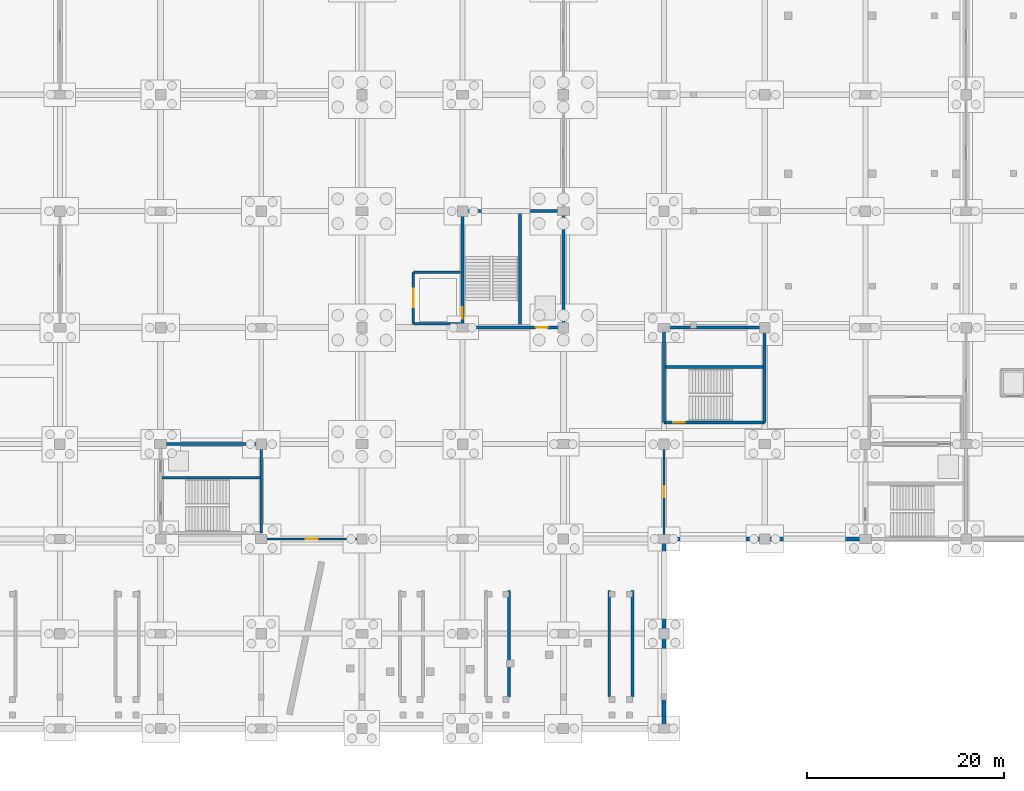
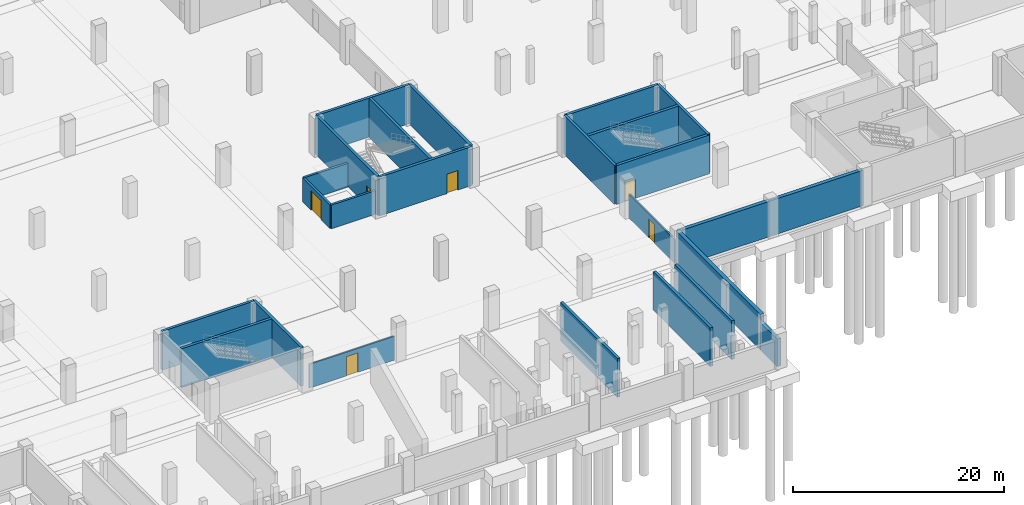
# One storey, part 35 of 52: 24 walls, 6 doors, 6 openings.
"""IFC4 building model written with IfcOpenShell, lengths in metres."""

from ifc_helpers import new_model, si_unit, direction, frame, frame_2d, origin, place, context, subcontext, project, spatial, rectangle, extrude, material, layer, layer_set, type_object, element, fill, save


model = new_model("IFC4")

# Units and contexts
model_context = context("Model", 3, precision=1e-05, world=origin(), true_north=direction((0.0, 1.0)))
body_context = subcontext(model_context, "Body", "Model", "MODEL_VIEW")
ifc_project = project(units=[si_unit("LENGTHUNIT", "METRE"), si_unit("AREAUNIT", "SQUARE_METRE"), si_unit("VOLUMEUNIT", "CUBIC_METRE"), si_unit("PLANEANGLEUNIT", "RADIAN"), si_unit("MASSUNIT", "GRAM", prefix="KILO")], contexts=[model_context])

# Site, building, storey
site_placement = place(None, origin())
site = spatial("IfcSite", under=ifc_project, at=site_placement, CompositionType="ELEMENT")
building_placement = place(site_placement, origin())
building = spatial("IfcBuilding", under=site, at=building_placement, Name="Brelvane Convention Centre", CompositionType="ELEMENT")
storey_placement = place(building_placement, frame((0.0, 0.0, -4.5)))
storey = spatial("IfcBuildingStorey", under=building, at=storey_placement, Name="B1", CompositionType="ELEMENT", Elevation=-4.5)

# Wall, opening, door
ifc_material_1 = material(Name="Fire-Rated Acoustic Gypsum Partition Board Grade A")
ifc_layer_1 = layer(ifc_material_1, 0.1650390625)
ifc_layer_set_1 = layer_set([ifc_layer_1], Name="Fire-Rated Acoustic Gypsum Partition Board Grade A")
wall_type_1 = type_object("IfcWallType", Name="Interior Wall IW-AC-165", PredefinedType="PARTITIONING", material=ifc_layer_set_1)
wall_1_placement = place(storey_placement, frame((133.0, 19.199951171875, 0.0), z_axis=(0.0, 0.0, 1.0), x_axis=(1.0, 0.0, 0.0)))
wall_1 = element("IfcWall", 1, at=wall_1_placement, inside=storey, type_object=wall_type_1, Name="Interior Partition B1-PLZVT", PredefinedType="PARTITIONING", context=body_context, shape_type="SweptSolid", body=[
    extrude(rectangle(XDim=9.39990234375, YDim=0.1650390625, at=frame_2d((4.699951171875, 0.0))), origin(), (0.0, 0.0, 1.0), 2.75),
])
opening_1_placement = place(wall_1_placement, frame((4.090087890625, 0.0, 0.0)))
opening_1 = element("IfcOpeningElement", 2, at=opening_1_placement, cuts=wall_1, Name="Opening DR-IN-14R", PredefinedType="OPENING", context=body_context, shape_type="SweptSolid", body=[
    extrude(rectangle(XDim=1.219970703125, YDim=2.219970703125, at=frame_2d((0.60986328125, 1.10986328125))), frame((0.0, 0.092529296875, 0.0), z_axis=(0.0, -1.0, 0.0), x_axis=(1.0, 0.0, 0.0)), (0.0, 0.0, 1.0), 0.18505859375),
])
ifc_material_2 = material(Name="Galvanised Hollow-Metal Fire Door Steel E250", Category="steel")
door_type_1 = type_object("IfcDoorType", Name="Interior Door DR-IN-14R", OperationType="NOTDEFINED", PredefinedType="DOOR", material=ifc_material_2)
door_1_placement = place(opening_1_placement, origin())
door_1 = element("IfcDoor", 3, at=door_1_placement, inside=storey, type_object=door_type_1, Name="Interior Door B1-PLZVT (DR-IN-14R)", OperationType="SINGLE_SWING_RIGHT", OverallHeight=2.219970703125, OverallWidth=1.219970703125, PredefinedType="DOOR", context=body_context, shape_type="SweptSolid", body=[
    extrude(rectangle(XDim=1.219970703125, YDim=2.219970703125, at=frame_2d((0.60986328125, 1.10986328125))), frame((0.0, 0.02490234375, 0.0), z_axis=(0.0, -1.0, 0.0), x_axis=(1.0, 0.0, 0.0)), (0.0, 0.0, 1.0), 0.050048828125),
])
fill(opening_1, door_1)

ifc_material_3 = material(Name="Fire-Rated Acoustic Gypsum Partition Board Grade A")
ifc_layer_2 = layer(ifc_material_3, 0.18505859375)
ifc_layer_set_2 = layer_set([ifc_layer_2], Name="Fire-Rated Acoustic Gypsum Partition Board Grade A")
wall_type_2 = type_object("IfcWallType", Name="Interior Wall IW-AC-185", PredefinedType="PARTITIONING", material=ifc_layer_set_2)
wall_2_placement = place(storey_placement, frame((173.39990234375, 19.60009765625, 0.0), z_axis=(0.0, 0.0, 1.0), x_axis=(0.0, 1.0, 0.0)))
wall_2 = element("IfcWall", 4, at=wall_2_placement, inside=storey, type_object=wall_type_2, Name="Interior Partition B1-ARCHV", PredefinedType="PARTITIONING", context=body_context, shape_type="SweptSolid", body=[
    extrude(rectangle(XDim=8.7998046875, YDim=0.18505859375, at=frame_2d((4.39990234375, 0.0))), origin(), (0.0, 0.0, 1.0), 2.75),
])
opening_2_placement = place(wall_2_placement, frame((3.840087890625, 0.0, 0.0)))
opening_2 = element("IfcOpeningElement", 5, at=opening_2_placement, cuts=wall_2, Name="Opening DR-IN-13R", PredefinedType="OPENING", context=body_context, shape_type="SweptSolid", body=[
    extrude(rectangle(XDim=1.1201171875, YDim=2.179931640625, at=frame_2d((0.56005859375, 1.08984375))), frame((0.0, 0.1025390625, 0.0), z_axis=(0.0, -1.0, 0.0), x_axis=(1.0, 0.0, 0.0)), (0.0, 0.0, 1.0), 0.205078125),
])
ifc_material_4 = material(Name="Solid-Core Fire-Rated Hardwood Leaf Grade 1", Category="wood")
door_type_2 = type_object("IfcDoorType", Name="Interior Door DR-IN-13R", OperationType="NOTDEFINED", PredefinedType="DOOR", material=ifc_material_4)
door_2_placement = place(opening_2_placement, origin())
door_2 = element("IfcDoor", 6, at=door_2_placement, inside=storey, type_object=door_type_2, Name="Interior Door B1-ARCHV (DR-IN-13R)", OperationType="SINGLE_SWING_RIGHT", OverallHeight=2.179931640625, OverallWidth=1.1201171875, PredefinedType="DOOR", context=body_context, shape_type="SweptSolid", body=[
    extrude(rectangle(XDim=1.1201171875, YDim=2.179931640625, at=frame_2d((0.56005859375, 1.08984375))), frame((0.0, 0.02490234375, 0.0), z_axis=(0.0, -1.0, 0.0), x_axis=(1.0, 0.0, 0.0)), (0.0, 0.0, 1.0), 0.050048828125),
])
fill(opening_2, door_2)

ifc_material_5 = material(Name="Concrete M40", Category="concrete")
ifc_layer_3 = layer(ifc_material_5, 0.239990234375)
ifc_layer_set_3 = layer_set([ifc_layer_3], Name="Concrete M40")
wall_type_3 = type_object("IfcWallType", Name="Interior Wall IW-FR-240", PredefinedType="PARTITIONING", material=ifc_layer_set_3)
wall_3_placement = place(storey_placement, frame((148.0, 41.0, 0.0), z_axis=(0.0, 0.0, 1.0), x_axis=(0.0, 1.0, 0.0)))
wall_3 = element("IfcWall", 7, at=wall_3_placement, inside=storey, type_object=wall_type_3, Name="Firefighting Lobby C3 Wall W (B1)", PredefinedType="PARTITIONING", context=body_context, shape_type="SweptSolid", body=[
    extrude(rectangle(XDim=5.199951171875, YDim=0.239990234375, at=frame_2d((2.60009765625, 0.0))), origin(), (0.0, 0.0, 1.0), 2.75),
])
opening_3_placement = place(wall_3_placement, frame((1.64990234375, 0.0, 0.0)))
opening_3 = element("IfcOpeningElement", 8, at=opening_3_placement, cuts=wall_3, Name="Opening DR-FL-01", PredefinedType="OPENING", context=body_context, shape_type="SweptSolid", body=[
    extrude(rectangle(XDim=1.89990234375, YDim=2.25, at=frame_2d((0.949951171875, 1.125))), frame((0.0, 0.1298828125, 0.0), z_axis=(0.0, -1.0, 0.0), x_axis=(1.0, 0.0, 0.0)), (0.0, 0.0, 1.0), 0.260009765625),
])
ifc_material_6 = material(Name="Galvanised Hollow-Metal Fire Door Steel E250", Category="steel")
door_type_3 = type_object("IfcDoorType", Name="Interior Door DR-FL-01", OperationType="NOTDEFINED", PredefinedType="DOOR", material=ifc_material_6)
door_3_placement = place(opening_3_placement, origin())
door_3 = element("IfcDoor", 9, at=door_3_placement, inside=storey, type_object=door_type_3, Name="Firefighting Lobby C3 Smoke Door (B1)", OperationType="DOUBLE_DOOR_SINGLE_SWING", OverallHeight=2.25, OverallWidth=1.89990234375, PredefinedType="DOOR", context=body_context, shape_type="SweptSolid", body=[
    extrude(rectangle(XDim=1.89990234375, YDim=2.25, at=frame_2d((0.949951171875, 1.125))), frame((0.0, 0.02490234375, 0.0), z_axis=(0.0, -1.0, 0.0), x_axis=(1.0, 0.0, 0.0)), (0.0, 0.0, 1.0), 0.050048828125),
])
fill(opening_3, door_3)

# Walls
for number, where, z_axis, x_axis, name in (
    (10, (148.0, 46.199951171875, 0.0), (0.0, 0.0, 1.0), (1.0, 0.0, 0.0), "Firefighting Lobby C3 Wall N (B1)"),
    (11, (148.0, 41.0, 0.0), (0.0, 0.0, 1.0), (1.0, 0.0, 0.0), "Firefighting Lobby C3 Wall S (B1)"),
):
    element("IfcWall", number, at=place(storey_placement, frame(where, z_axis=z_axis, x_axis=x_axis)), inside=storey, type_object=wall_type_3, Name=name, PredefinedType="PARTITIONING", context=body_context, shape_type="SweptSolid", body=[
        extrude(rectangle(XDim=4.800048828125, YDim=0.239990234375, at=frame_2d((2.39990234375, 0.0))), origin(), (0.0, 0.0, 1.0), 2.75),
    ])
ifc_material_7 = material(Name="Concrete M50", Category="concrete")
ifc_layer_4 = layer(ifc_material_7, 0.300048828125)
ifc_layer_set_4 = layer_set([ifc_layer_4], Name="Concrete M50")
wall_type_4 = type_object("IfcWallType", Name="Structural Wall WL-CORE-300", PredefinedType="SHEAR", material=ifc_layer_set_4)
wall_4_placement = place(storey_placement, frame((122.39990234375, 28.800048828125, 0.0), z_axis=(0.0, 0.0, 1.0), x_axis=(1.0, 0.0, 0.0)))
element("IfcWall", 12, at=wall_4_placement, inside=storey, type_object=wall_type_4, Name="Core C2 Shear Wall N (B1)", PredefinedType="SHEAR", context=body_context, shape_type="SweptSolid", body=[
    extrude(rectangle(XDim=10.2001953125, YDim=0.300048828125, at=frame_2d((5.10009765625, 0.0))), origin(), (0.0, 0.0, 1.0), 4.5),
])
wall_5_placement = place(storey_placement, frame((132.60009765625, 19.800048828125, 0.0), z_axis=(0.0, 0.0, 1.0), x_axis=(0.0, 1.0, 0.0)))
element("IfcWall", 13, at=wall_5_placement, inside=storey, type_object=wall_type_4, Name="Core C2 Shear Wall E (B1)", PredefinedType="SHEAR", context=body_context, shape_type="SweptSolid", body=[
    extrude(rectangle(XDim=9.0, YDim=0.300048828125, at=frame_2d((4.5, 0.0))), origin(), (0.0, 0.0, 1.0), 4.5),
])

# Wall, opening, door
wall_6_placement = place(storey_placement, frame((153.0, 40.60009765625, 0.0), z_axis=(0.0, 0.0, 1.0), x_axis=(1.0, 0.0, 0.0)))
wall_6 = element("IfcWall", 14, at=wall_6_placement, inside=storey, type_object=wall_type_4, Name="Core C3 Shear Wall S (B1)", PredefinedType="SHEAR", context=body_context, shape_type="SweptSolid", body=[
    extrude(rectangle(XDim=10.199951171875, YDim=0.300048828125, at=frame_2d((5.10009765625, 0.0))), origin(), (0.0, 0.0, 1.0), 4.5),
])
opening_4_placement = place(wall_6_placement, frame((7.39990234375, 0.0, 0.0)))
opening_4 = element("IfcOpeningElement", 15, at=opening_4_placement, cuts=wall_6, Name="Opening LD-01", PredefinedType="OPENING", context=body_context, shape_type="SweptSolid", body=[
    extrude(rectangle(XDim=1.199951171875, YDim=2.25, at=frame_2d((0.60009765625, 1.125))), frame((0.0, 0.159912109375, 0.0), z_axis=(0.0, -1.0, 0.0), x_axis=(1.0, 0.0, 0.0)), (0.0, 0.0, 1.0), 0.320068359375),
])
ifc_material_8 = material(Name="Galvanised Hollow-Metal Fire Door Steel E250", Category="steel")
door_type_4 = type_object("IfcDoorType", Name="Interior Door LD-01", OperationType="NOTDEFINED", PredefinedType="DOOR", material=ifc_material_8)
door_4_placement = place(opening_4_placement, origin())
door_4 = element("IfcDoor", 16, at=door_4_placement, inside=storey, type_object=door_type_4, Name="Lift LF-02 Landing Door (B1)", OperationType="SLIDING_TO_LEFT", OverallHeight=2.25, OverallWidth=1.199951171875, PredefinedType="DOOR", context=body_context, shape_type="SweptSolid", body=[
    extrude(rectangle(XDim=1.199951171875, YDim=2.25, at=frame_2d((0.60009765625, 1.125))), frame((0.0, 0.02490234375, 0.0), z_axis=(0.0, -1.0, 0.0), x_axis=(1.0, 0.0, 0.0)), (0.0, 0.0, 1.0), 0.050048828125),
])
fill(opening_4, door_4)

# Wall
wall_7_placement = place(storey_placement, frame((153.0, 52.39990234375, 0.0), z_axis=(0.0, 0.0, 1.0), x_axis=(1.0, 0.0, 0.0)))
element("IfcWall", 17, at=wall_7_placement, inside=storey, type_object=wall_type_4, Name="Core C3 Shear Wall N (B1)", PredefinedType="SHEAR", context=body_context, shape_type="SweptSolid", body=[
    extrude(rectangle(XDim=10.199951171875, YDim=0.300048828125, at=frame_2d((5.10009765625, 0.0))), origin(), (0.0, 0.0, 1.0), 4.5),
])

# Wall, opening, door
wall_8_placement = place(storey_placement, frame((153.0, 40.60009765625, 0.0), z_axis=(0.0, 0.0, 1.0), x_axis=(0.0, 1.0, 0.0)))
wall_8 = element("IfcWall", 18, at=wall_8_placement, inside=storey, type_object=wall_type_4, Name="Core C3 Shear Wall W (B1)", PredefinedType="SHEAR", context=body_context, shape_type="SweptSolid", body=[
    extrude(rectangle(XDim=11.7998046875, YDim=0.300048828125, at=frame_2d((5.89990234375, 0.0))), origin(), (0.0, 0.0, 1.0), 4.5),
])
opening_5_placement = place(wall_8_placement, frame((0.919921875, 0.0, 0.0)))
opening_5 = element("IfcOpeningElement", 19, at=opening_5_placement, cuts=wall_8, Name="Opening DR-IN-04L", PredefinedType="OPENING", context=body_context, shape_type="SweptSolid", body=[
    extrude(rectangle(XDim=1.159912109375, YDim=2.199951171875, at=frame_2d((0.580078125, 1.10009765625))), frame((0.0, 0.159912109375, 0.0), z_axis=(0.0, -1.0, 0.0), x_axis=(1.0, 0.0, 0.0)), (0.0, 0.0, 1.0), 0.320068359375),
])
ifc_material_9 = material(Name="Galvanised Hollow-Metal Fire Door Steel E250", Category="steel")
door_type_5 = type_object("IfcDoorType", Name="Interior Door DR-IN-04L", OperationType="NOTDEFINED", PredefinedType="DOOR", material=ifc_material_9)
door_5_placement = place(opening_5_placement, origin())
door_5 = element("IfcDoor", 20, at=door_5_placement, inside=storey, type_object=door_type_5, Name="Stair ST-03 Door (B1)", OperationType="SINGLE_SWING_LEFT", OverallHeight=2.199951171875, OverallWidth=1.159912109375, PredefinedType="DOOR", context=body_context, shape_type="SweptSolid", body=[
    extrude(rectangle(XDim=1.159912109375, YDim=2.199951171875, at=frame_2d((0.580078125, 1.10009765625))), frame((0.0, 0.02490234375, 0.0), z_axis=(0.0, -1.0, 0.0), x_axis=(1.0, 0.0, 0.0)), (0.0, 0.0, 1.0), 0.050048828125),
])
fill(opening_5, door_5)

# Walls
wall_9_placement = place(storey_placement, frame((163.199951171875, 40.60009765625, 0.0), z_axis=(0.0, 0.0, 1.0), x_axis=(0.0, 1.0, 0.0)))
element("IfcWall", 21, at=wall_9_placement, inside=storey, type_object=wall_type_4, Name="Core C3 Shear Wall E (B1)", PredefinedType="SHEAR", context=body_context, shape_type="SweptSolid", body=[
    extrude(rectangle(XDim=11.7998046875, YDim=0.300048828125, at=frame_2d((5.89990234375, 0.0))), origin(), (0.0, 0.0, 1.0), 4.5),
])
for number, where, z_axis, x_axis, name in (
    (22, (157.68994140625, 3.199951171875, 0.0), (0.0, 0.0, 1.0), (0.0, 1.0, 0.0), "Plaza Ramp AR-04 Support Wall E"),
    (23, (167.85009765625, 3.199951171875, 0.0), (0.0, 0.0, 1.0), (0.0, 1.0, 0.0), "Plaza Ramp AR-05 Support Wall W"),
    (24, (170.18994140625, 3.199951171875, 0.0), (0.0, 0.0, 1.0), (0.0, 1.0, 0.0), "Plaza Ramp AR-05 Support Wall E"),
):
    element("IfcWall", number, at=place(storey_placement, frame(where, z_axis=z_axis, x_axis=x_axis)), inside=storey, type_object=wall_type_4, Name=name, PredefinedType="SHEAR", context=body_context, shape_type="SweptSolid", body=[
        extrude(rectangle(XDim=10.800048828125, YDim=0.300048828125, at=frame_2d((5.39990234375, 0.0))), origin(), (0.0, 0.0, 1.0), 4.47998046875),
    ])
wall_10_placement = place(storey_placement, frame((122.550048828125, 25.39990234375, 0.0), z_axis=(0.0, 0.0, 1.0), x_axis=(1.0, 0.0, 0.0)))
element("IfcWall", 25, at=wall_10_placement, inside=storey, type_object=wall_type_4, Name="Core C2 Shaft Divider Wall (B1)", PredefinedType="SHEAR", context=body_context, shape_type="SweptSolid", body=[
    extrude(rectangle(XDim=9.89990234375, YDim=0.300048828125, at=frame_2d((4.949951171875, 0.0))), origin(), (0.0, 0.0, 1.0), 4.5),
])
wall_11_placement = place(storey_placement, frame((158.800048828125, 40.75, 0.0), z_axis=(0.0, 0.0, 1.0), x_axis=(0.0, 1.0, 0.0)))
element("IfcWall", 26, at=wall_11_placement, inside=storey, type_object=wall_type_4, Name="Core C3 Shaft Divider Wall (B1)", PredefinedType="SHEAR", context=body_context, shape_type="SweptSolid", body=[
    extrude(rectangle(XDim=11.5, YDim=0.300048828125, at=frame_2d((5.75, 0.0))), origin(), (0.0, 0.0, 1.0), 4.5),
])

# Wall, opening, door
wall_12_placement = place(storey_placement, frame((173.39990234375, 31.0, 0.0), z_axis=(0.0, 0.0, 1.0), x_axis=(1.0, 0.0, 0.0)))
wall_12 = element("IfcWall", 27, at=wall_12_placement, inside=storey, type_object=wall_type_4, Name="Stair Core ST-18 Wall S (B1)", PredefinedType="SHEAR", context=body_context, shape_type="SweptSolid", body=[
    extrude(rectangle(XDim=10.2001953125, YDim=0.300048828125, at=frame_2d((5.10009765625, 0.0))), origin(), (0.0, 0.0, 1.0), 4.5),
])
opening_6_placement = place(wall_12_placement, frame((0.919921875, 0.0, 0.0)))
opening_6 = element("IfcOpeningElement", 28, at=opening_6_placement, cuts=wall_12, Name="Opening DR-IN-04L", PredefinedType="OPENING", context=body_context, shape_type="SweptSolid", body=[
    extrude(rectangle(XDim=1.159912109375, YDim=2.199951171875, at=frame_2d((0.580078125, 1.10009765625))), frame((0.0, 0.159912109375, 0.0), z_axis=(0.0, -1.0, 0.0), x_axis=(1.0, 0.0, 0.0)), (0.0, 0.0, 1.0), 0.320068359375),
])
door_6_placement = place(opening_6_placement, origin())
door_6 = element("IfcDoor", 29, at=door_6_placement, inside=storey, type_object=door_type_5, Name="Stair ST-18 Entry Door (B1)", OperationType="SINGLE_SWING_LEFT", OverallHeight=2.199951171875, OverallWidth=1.159912109375, PredefinedType="DOOR", context=body_context, shape_type="SweptSolid", body=[
    extrude(rectangle(XDim=1.159912109375, YDim=2.199951171875, at=frame_2d((0.580078125, 1.10009765625))), frame((0.0, 0.02490234375, 0.0), z_axis=(0.0, -1.0, 0.0), x_axis=(1.0, 0.0, 0.0)), (0.0, 0.0, 1.0), 0.050048828125),
])
fill(opening_6, door_6)

# Walls
wall_13_placement = place(storey_placement, frame((173.39990234375, 40.60009765625, 0.0), z_axis=(0.0, 0.0, 1.0), x_axis=(1.0, 0.0, 0.0)))
element("IfcWall", 30, at=wall_13_placement, inside=storey, type_object=wall_type_4, Name="Stair Core ST-18 Wall N (B1)", PredefinedType="SHEAR", context=body_context, shape_type="SweptSolid", body=[
    extrude(rectangle(XDim=10.2001953125, YDim=0.300048828125, at=frame_2d((5.10009765625, 0.0))), origin(), (0.0, 0.0, 1.0), 4.5),
])
for number, where, z_axis, x_axis, name in (
    (31, (173.39990234375, 31.0, 0.0), (0.0, 0.0, 1.0), (0.0, 1.0, 0.0), "Stair Core ST-18 Wall W (B1)"),
    (32, (183.60009765625, 31.0, 0.0), (0.0, 0.0, 1.0), (0.0, 1.0, 0.0), "Stair Core ST-18 Wall E (B1)"),
):
    element("IfcWall", number, at=place(storey_placement, frame(where, z_axis=z_axis, x_axis=x_axis)), inside=storey, type_object=wall_type_4, Name=name, PredefinedType="SHEAR", context=body_context, shape_type="SweptSolid", body=[
        extrude(rectangle(XDim=9.60009765625, YDim=0.300048828125, at=frame_2d((4.800048828125, 0.0))), origin(), (0.0, 0.0, 1.0), 4.5),
    ])
wall_14_placement = place(storey_placement, frame((173.550048828125, 36.60009765625, 0.0), z_axis=(0.0, 0.0, 1.0), x_axis=(1.0, 0.0, 0.0)))
element("IfcWall", 33, at=wall_14_placement, inside=storey, type_object=wall_type_4, Name="Stair Core ST-18 Well Wall (B1)", PredefinedType="SHEAR", context=body_context, shape_type="SweptSolid", body=[
    extrude(rectangle(XDim=9.89990234375, YDim=0.300048828125, at=frame_2d((4.949951171875, 0.0))), origin(), (0.0, 0.0, 1.0), 4.5),
])
ifc_material_10 = material(Name="Concrete M40", Category="concrete")
ifc_layer_5 = layer(ifc_material_10, 0.39990234375)
ifc_layer_set_5 = layer_set([ifc_layer_5], Name="Concrete M40")
wall_type_5 = type_object("IfcWallType", Name="Structural Wall WL-RET-400", PredefinedType="SOLIDWALL", material=ifc_layer_set_5)
wall_15_placement = place(storey_placement, frame((173.39990234375, 0.0, 0.0), z_axis=(0.0, 0.0, 1.0), x_axis=(0.0, 1.0, 0.0)))
element("IfcWall", 34, at=wall_15_placement, inside=storey, type_object=wall_type_5, Name="Basement Retaining Wall S-STEPE1", PredefinedType="SOLIDWALL", context=body_context, shape_type="SweptSolid", body=[
    extrude(rectangle(XDim=3.199951171875, YDim=0.39990234375, at=frame_2d((1.60009765625, 0.0))), origin(), (0.0, 0.0, 1.0), 3.199951171875),
])
wall_16_placement = place(storey_placement, frame((173.39990234375, 3.199951171875, 0.0), z_axis=(0.0, 0.0, 1.0), x_axis=(0.0, 1.0, 0.0)))
element("IfcWall", 35, at=wall_16_placement, inside=storey, type_object=wall_type_5, Name="Basement Retaining Wall S-STEPE2", PredefinedType="SOLIDWALL", context=body_context, shape_type="SweptSolid", body=[
    extrude(rectangle(XDim=16.0, YDim=0.39990234375, at=frame_2d((8.0, 0.0))), origin(), (0.0, 0.0, 1.0), 4.10009765625),
])
wall_17_placement = place(storey_placement, frame((173.39990234375, 19.199951171875, 0.0), z_axis=(0.0, 0.0, 1.0), x_axis=(1.0, 0.0, 0.0)))
element("IfcWall", 36, at=wall_17_placement, inside=storey, type_object=wall_type_5, Name="Basement Retaining Wall S-EAST1", PredefinedType="SOLIDWALL", context=body_context, shape_type="SweptSolid", body=[
    extrude(rectangle(XDim=20.2001953125, YDim=0.39990234375, at=frame_2d((10.10009765625, 0.0))), origin(), (0.0, 0.0, 1.0), 4.10009765625),
])

save(model, "model.ifc")
